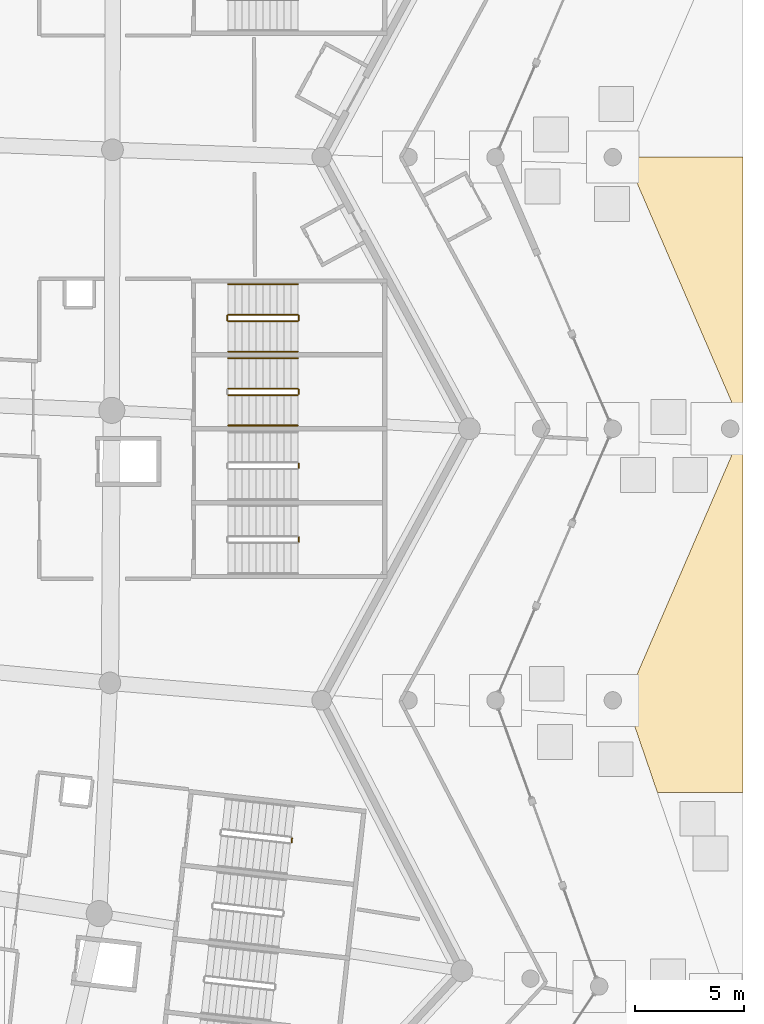
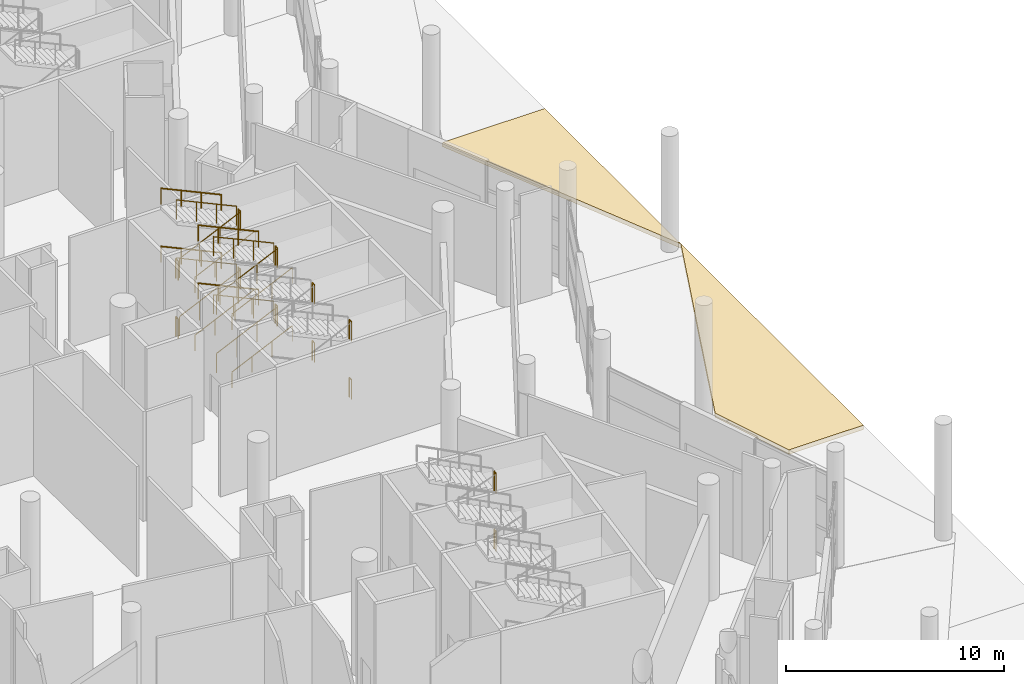
# One storey, part 219 of 255: 28 railings, 2 coverings.
"""IFC4 building model written with IfcOpenShell, lengths in metres."""

from ifc_helpers import new_model, si_unit, direction, frame, origin, origin_2d, place, context, subcontext, project, spatial, polyline, circle, outline, extrude, material, layer, layer_set, type_object, element, save


model = new_model("IFC4")

# Units and contexts
model_context = context("Model", 3, precision=1e-05, world=origin(), true_north=direction((0.0, 1.0)))
body_context = subcontext(model_context, "Body", "Model", "MODEL_VIEW")
ifc_project = project(units=[si_unit("LENGTHUNIT", "METRE"), si_unit("AREAUNIT", "SQUARE_METRE"), si_unit("VOLUMEUNIT", "CUBIC_METRE"), si_unit("PLANEANGLEUNIT", "RADIAN"), si_unit("MASSUNIT", "GRAM", prefix="KILO")], contexts=[model_context])

# Site, building, storey
site_placement = place(None, origin())
site = spatial("IfcSite", under=ifc_project, at=site_placement, CompositionType="ELEMENT")
building_placement = place(site_placement, origin())
building = spatial("IfcBuilding", under=site, at=building_placement, Name="Meseta Stadium", CompositionType="ELEMENT")
storey_placement = place(building_placement, origin())
storey = spatial("IfcBuildingStorey", under=building, at=storey_placement, Name="L00", CompositionType="ELEMENT", Elevation=0.0)

# Coverings
ifc_material_1 = material(Name="Guadarrama granite paving on bedding", Category="masonry")
ifc_layer = layer(ifc_material_1, 0.25)
ifc_layer_set = layer_set([ifc_layer], Name="Ground paving 250")
covering_type = type_object("IfcCoveringType", Name="Ground paving 250", PredefinedType="FLOORING", material=ifc_layer_set)
covering_1_placement = place(storey_placement, frame((0.0, 0.0, -0.25)))
element("IfcCovering", 1, at=covering_1_placement, inside=storey, type_object=covering_type, Name="Forecourt paving 27", PredefinedType="FLOORING", context=body_context, shape_type="SweptSolid", body=[
    extrude(outline(polyline([(114.0, -31.25), (108.60009765625, -43.75), (110.05419921875, -47.99951171875), (114.0, -47.9990234375), (114.0, -31.25)])), origin(), (0.0, 0.0, 1.0), 0.25),
])
covering_2_placement = place(storey_placement, frame((0.0, 0.0, -0.25)))
element("IfcCovering", 2, at=covering_2_placement, inside=storey, type_object=covering_type, Name="Forecourt paving 30", PredefinedType="FLOORING", context=body_context, shape_type="SweptSolid", body=[
    extrude(outline(polyline([(114.0, -31.25), (114.0, -18.75), (108.60009765625, -18.75), (114.0, -31.25)])), origin(), (0.0, 0.0, 1.0), 0.25),
])

# Railings
ifc_material_2 = material(Name="Steel S355", Category="steel")
railing_type_1 = type_object("IfcRailingType", Name="Stair guard 1100", PredefinedType="GUARDRAIL", material=ifc_material_2)
for number, where, name in (
    (3, (93.214599609375, -50.2880859375, 1.625), "ST4 L00 guard 2"),
    (4, (93.214599609375, -50.2880859375, 4.875), "ST4 L00 guard 6"),
):
    element("IfcRailing", number, at=place(storey_placement, frame(where)), inside=storey, type_object=railing_type_1, Name=name, PredefinedType="GUARDRAIL", context=body_context, shape_type="SweptSolid", body=[
        extrude(circle(Radius=0.02392578125, at=origin_2d()), frame((0.0, 0.0, 1.076171875), z_axis=(0.112307083986, 0.993673547442, 0.0), x_axis=(-0.993673547442, 0.112307083986, 0.0)), (0.0, 0.0, 1.0), 0.199951171875),
        extrude(circle(Radius=0.02099609375, at=origin_2d()), origin(), (0.0, 0.0, 1.0), 1.052001953125),
        extrude(circle(Radius=0.02099609375, at=origin_2d()), frame((0.0224609375, 0.19873046875, 0.0)), (0.0, 0.0, 1.0), 1.052001953125),
    ])
for number, where, name in (
    (5, (93.550048828125, -36.449951171875, 1.625), "ST5 L00 guard 2"),
    (6, (93.550048828125, -36.449951171875, 4.875), "ST5 L00 guard 6"),
    (7, (93.550048828125, -33.050048828125, 1.625), "ST6 L00 guard 2"),
    (8, (93.550048828125, -33.050048828125, 4.875), "ST6 L00 guard 6"),
):
    element("IfcRailing", number, at=place(storey_placement, frame(where)), inside=storey, type_object=railing_type_1, Name=name, PredefinedType="GUARDRAIL", context=body_context, shape_type="SweptSolid", body=[
        extrude(circle(Radius=0.02392578125, at=origin_2d()), frame((0.0, 0.0, 1.076171875), z_axis=(0.0, 1.0, 0.0), x_axis=(-1.0, 0.0, 0.0)), (0.0, 0.0, 1.0), 0.199951171875),
        extrude(circle(Radius=0.02099609375, at=origin_2d()), origin(), (0.0, 0.0, 1.0), 1.052001953125),
        extrude(circle(Radius=0.02099609375, at=origin_2d()), frame((0.0, 0.199951171875, 0.0)), (0.0, 0.0, 1.0), 1.052001953125),
    ])
railing_1_placement = place(storey_placement, frame((90.300048828125, -29.699951171875, 0.147705078125)))
element("IfcRailing", 9, at=railing_1_placement, inside=storey, type_object=railing_type_1, Name="ST7 L00 guard 1", PredefinedType="GUARDRAIL", context=body_context, shape_type="SweptSolid", body=[
    extrude(circle(Radius=0.02392578125, at=origin_2d()), frame((0.0, 0.0, 1.076171875), z_axis=(0.907916804346, 0.0, 0.419150422148), x_axis=(0.0, 1.0, 0.0)), (0.0, 0.0, 1.0), 3.5244140625),
    extrude(circle(Radius=0.02099609375, at=origin_2d()), origin(), (0.0, 0.0, 1.0), 1.052001953125),
    extrude(circle(Radius=0.02099609375, at=origin_2d()), frame((1.066650390625, 0.0, 0.492431640625)), (0.0, 0.0, 1.0), 1.052001953125),
    extrude(circle(Radius=0.02099609375, at=origin_2d()), frame((2.13330078125, 0.0, 0.98486328125)), (0.0, 0.0, 1.0), 1.052001953125),
    extrude(circle(Radius=0.02099609375, at=origin_2d()), frame((3.199951171875, 0.0, 1.477294921875)), (0.0, 0.0, 1.0), 1.052001953125),
])
railing_2_placement = place(storey_placement, frame((93.550048828125, -29.64990234375, 1.625)))
element("IfcRailing", 10, at=railing_2_placement, inside=storey, type_object=railing_type_1, Name="ST7 L00 guard 2", PredefinedType="GUARDRAIL", context=body_context, shape_type="SweptSolid", body=[
    extrude(circle(Radius=0.02392578125, at=origin_2d()), frame((0.0, 0.0, 1.076171875), z_axis=(0.0, 1.0, 0.0), x_axis=(-1.0, 0.0, 0.0)), (0.0, 0.0, 1.0), 0.199951171875),
    extrude(circle(Radius=0.02099609375, at=origin_2d()), origin(), (0.0, 0.0, 1.0), 1.052001953125),
    extrude(circle(Radius=0.02099609375, at=origin_2d()), frame((0.0, 0.199951171875, 0.0)), (0.0, 0.0, 1.0), 1.052001953125),
])
railing_3_placement = place(storey_placement, frame((93.5, -29.39990234375, 1.772705078125)))
element("IfcRailing", 11, at=railing_3_placement, inside=storey, type_object=railing_type_1, Name="ST7 L00 guard 3", PredefinedType="GUARDRAIL", context=body_context, shape_type="SweptSolid", body=[
    extrude(circle(Radius=0.02392578125, at=origin_2d()), frame((0.0, 0.0, 1.076171875), z_axis=(-0.907916804346, 0.0, 0.419150422148), x_axis=(0.0, -1.0, 0.0)), (0.0, 0.0, 1.0), 3.5244140625),
    extrude(circle(Radius=0.02099609375, at=origin_2d()), origin(), (0.0, 0.0, 1.0), 1.052001953125),
    extrude(circle(Radius=0.02099609375, at=origin_2d()), frame((-1.066650390625, 0.0, 0.492431640625)), (0.0, 0.0, 1.0), 1.052001953125),
    extrude(circle(Radius=0.02099609375, at=origin_2d()), frame((-2.13330078125, 0.0, 0.98486328125)), (0.0, 0.0, 1.0), 1.052001953125),
    extrude(circle(Radius=0.02099609375, at=origin_2d()), frame((-3.199951171875, 0.0, 1.477294921875)), (0.0, 0.0, 1.0), 1.052001953125),
])
railing_4_placement = place(storey_placement, frame((90.300048828125, -29.699951171875, 3.397705078125)))
element("IfcRailing", 12, at=railing_4_placement, inside=storey, type_object=railing_type_1, Name="ST7 L00 guard 5", PredefinedType="GUARDRAIL", context=body_context, shape_type="SweptSolid", body=[
    extrude(circle(Radius=0.02392578125, at=origin_2d()), frame((0.0, 0.0, 1.076171875), z_axis=(0.907916804346, 0.0, 0.419150422148), x_axis=(0.0, 1.0, 0.0)), (0.0, 0.0, 1.0), 3.5244140625),
    extrude(circle(Radius=0.02099609375, at=origin_2d()), origin(), (0.0, 0.0, 1.0), 1.052001953125),
    extrude(circle(Radius=0.02099609375, at=origin_2d()), frame((1.066650390625, 0.0, 0.492431640625)), (0.0, 0.0, 1.0), 1.052001953125),
    extrude(circle(Radius=0.02099609375, at=origin_2d()), frame((2.13330078125, 0.0, 0.98486328125)), (0.0, 0.0, 1.0), 1.052001953125),
    extrude(circle(Radius=0.02099609375, at=origin_2d()), frame((3.199951171875, 0.0, 1.477294921875)), (0.0, 0.0, 1.0), 1.052001953125),
])
railing_5_placement = place(storey_placement, frame((93.550048828125, -29.64990234375, 4.875)))
element("IfcRailing", 13, at=railing_5_placement, inside=storey, type_object=railing_type_1, Name="ST7 L00 guard 6", PredefinedType="GUARDRAIL", context=body_context, shape_type="SweptSolid", body=[
    extrude(circle(Radius=0.02392578125, at=origin_2d()), frame((0.0, 0.0, 1.076171875), z_axis=(0.0, 1.0, 0.0), x_axis=(-1.0, 0.0, 0.0)), (0.0, 0.0, 1.0), 0.199951171875),
    extrude(circle(Radius=0.02099609375, at=origin_2d()), origin(), (0.0, 0.0, 1.0), 1.052001953125),
    extrude(circle(Radius=0.02099609375, at=origin_2d()), frame((0.0, 0.199951171875, 0.0)), (0.0, 0.0, 1.0), 1.052001953125),
])
railing_6_placement = place(storey_placement, frame((93.5, -29.39990234375, 5.022705078125)))
element("IfcRailing", 14, at=railing_6_placement, inside=storey, type_object=railing_type_1, Name="ST7 L00 guard 7", PredefinedType="GUARDRAIL", context=body_context, shape_type="SweptSolid", body=[
    extrude(circle(Radius=0.02392578125, at=origin_2d()), frame((0.0, 0.0, 1.076171875), z_axis=(-0.907916804346, 0.0, 0.419150422148), x_axis=(0.0, -1.0, 0.0)), (0.0, 0.0, 1.0), 3.5244140625),
    extrude(circle(Radius=0.02099609375, at=origin_2d()), origin(), (0.0, 0.0, 1.0), 1.052001953125),
    extrude(circle(Radius=0.02099609375, at=origin_2d()), frame((-1.066650390625, 0.0, 0.492431640625)), (0.0, 0.0, 1.0), 1.052001953125),
    extrude(circle(Radius=0.02099609375, at=origin_2d()), frame((-2.13330078125, 0.0, 0.98486328125)), (0.0, 0.0, 1.0), 1.052001953125),
    extrude(circle(Radius=0.02099609375, at=origin_2d()), frame((-3.199951171875, 0.0, 1.477294921875)), (0.0, 0.0, 1.0), 1.052001953125),
])
railing_7_placement = place(storey_placement, frame((90.300048828125, -26.300048828125, 0.147705078125)))
element("IfcRailing", 15, at=railing_7_placement, inside=storey, type_object=railing_type_1, Name="ST8 L00 guard 1", PredefinedType="GUARDRAIL", context=body_context, shape_type="SweptSolid", body=[
    extrude(circle(Radius=0.02392578125, at=origin_2d()), frame((0.0, 0.0, 1.076171875), z_axis=(0.907916804346, 0.0, 0.419150422148), x_axis=(0.0, 1.0, 0.0)), (0.0, 0.0, 1.0), 3.5244140625),
    extrude(circle(Radius=0.02099609375, at=origin_2d()), origin(), (0.0, 0.0, 1.0), 1.052001953125),
    extrude(circle(Radius=0.02099609375, at=origin_2d()), frame((1.066650390625, 0.0, 0.492431640625)), (0.0, 0.0, 1.0), 1.052001953125),
    extrude(circle(Radius=0.02099609375, at=origin_2d()), frame((2.13330078125, 0.0, 0.98486328125)), (0.0, 0.0, 1.0), 1.052001953125),
    extrude(circle(Radius=0.02099609375, at=origin_2d()), frame((3.199951171875, 0.0, 1.477294921875)), (0.0, 0.0, 1.0), 1.052001953125),
])
railing_8_placement = place(storey_placement, frame((93.550048828125, -26.25, 1.625)))
element("IfcRailing", 16, at=railing_8_placement, inside=storey, type_object=railing_type_1, Name="ST8 L00 guard 2", PredefinedType="GUARDRAIL", context=body_context, shape_type="SweptSolid", body=[
    extrude(circle(Radius=0.02392578125, at=origin_2d()), frame((0.0, 0.0, 1.076171875), z_axis=(0.0, 1.0, 0.0), x_axis=(-1.0, 0.0, 0.0)), (0.0, 0.0, 1.0), 0.199951171875),
    extrude(circle(Radius=0.02099609375, at=origin_2d()), origin(), (0.0, 0.0, 1.0), 1.052001953125),
    extrude(circle(Radius=0.02099609375, at=origin_2d()), frame((0.0, 0.199951171875, 0.0)), (0.0, 0.0, 1.0), 1.052001953125),
])
railing_9_placement = place(storey_placement, frame((93.5, -26.0, 1.772705078125)))
element("IfcRailing", 17, at=railing_9_placement, inside=storey, type_object=railing_type_1, Name="ST8 L00 guard 3", PredefinedType="GUARDRAIL", context=body_context, shape_type="SweptSolid", body=[
    extrude(circle(Radius=0.02392578125, at=origin_2d()), frame((0.0, 0.0, 1.076171875), z_axis=(-0.907916804346, 0.0, 0.419150422148), x_axis=(0.0, -1.0, 0.0)), (0.0, 0.0, 1.0), 3.5244140625),
    extrude(circle(Radius=0.02099609375, at=origin_2d()), origin(), (0.0, 0.0, 1.0), 1.052001953125),
    extrude(circle(Radius=0.02099609375, at=origin_2d()), frame((-1.066650390625, 0.0, 0.492431640625)), (0.0, 0.0, 1.0), 1.052001953125),
    extrude(circle(Radius=0.02099609375, at=origin_2d()), frame((-2.13330078125, 0.0, 0.98486328125)), (0.0, 0.0, 1.0), 1.052001953125),
    extrude(circle(Radius=0.02099609375, at=origin_2d()), frame((-3.199951171875, 0.0, 1.477294921875)), (0.0, 0.0, 1.0), 1.052001953125),
])
railing_10_placement = place(storey_placement, frame((90.25, -26.25, 3.25)))
element("IfcRailing", 18, at=railing_10_placement, inside=storey, type_object=railing_type_1, Name="ST8 L00 guard 4", PredefinedType="GUARDRAIL", context=body_context, shape_type="SweptSolid", body=[
    extrude(circle(Radius=0.02392578125, at=origin_2d()), frame((0.0, 0.0, 1.076171875), z_axis=(0.0, 1.0, 0.0), x_axis=(-1.0, 0.0, 0.0)), (0.0, 0.0, 1.0), 0.199951171875),
    extrude(circle(Radius=0.02099609375, at=origin_2d()), origin(), (0.0, 0.0, 1.0), 1.052001953125),
    extrude(circle(Radius=0.02099609375, at=origin_2d()), frame((0.0, 0.199951171875, 0.0)), (0.0, 0.0, 1.0), 1.052001953125),
])
railing_11_placement = place(storey_placement, frame((90.300048828125, -26.300048828125, 3.397705078125)))
element("IfcRailing", 19, at=railing_11_placement, inside=storey, type_object=railing_type_1, Name="ST8 L00 guard 5", PredefinedType="GUARDRAIL", context=body_context, shape_type="SweptSolid", body=[
    extrude(circle(Radius=0.02392578125, at=origin_2d()), frame((0.0, 0.0, 1.076171875), z_axis=(0.907916804346, 0.0, 0.419150422148), x_axis=(0.0, 1.0, 0.0)), (0.0, 0.0, 1.0), 3.5244140625),
    extrude(circle(Radius=0.02099609375, at=origin_2d()), origin(), (0.0, 0.0, 1.0), 1.052001953125),
    extrude(circle(Radius=0.02099609375, at=origin_2d()), frame((1.066650390625, 0.0, 0.492431640625)), (0.0, 0.0, 1.0), 1.052001953125),
    extrude(circle(Radius=0.02099609375, at=origin_2d()), frame((2.13330078125, 0.0, 0.98486328125)), (0.0, 0.0, 1.0), 1.052001953125),
    extrude(circle(Radius=0.02099609375, at=origin_2d()), frame((3.199951171875, 0.0, 1.477294921875)), (0.0, 0.0, 1.0), 1.052001953125),
])
railing_12_placement = place(storey_placement, frame((93.550048828125, -26.25, 4.875)))
element("IfcRailing", 20, at=railing_12_placement, inside=storey, type_object=railing_type_1, Name="ST8 L00 guard 6", PredefinedType="GUARDRAIL", context=body_context, shape_type="SweptSolid", body=[
    extrude(circle(Radius=0.02392578125, at=origin_2d()), frame((0.0, 0.0, 1.076171875), z_axis=(0.0, 1.0, 0.0), x_axis=(-1.0, 0.0, 0.0)), (0.0, 0.0, 1.0), 0.199951171875),
    extrude(circle(Radius=0.02099609375, at=origin_2d()), origin(), (0.0, 0.0, 1.0), 1.052001953125),
    extrude(circle(Radius=0.02099609375, at=origin_2d()), frame((0.0, 0.199951171875, 0.0)), (0.0, 0.0, 1.0), 1.052001953125),
])
railing_13_placement = place(storey_placement, frame((93.5, -26.0, 5.022705078125)))
element("IfcRailing", 21, at=railing_13_placement, inside=storey, type_object=railing_type_1, Name="ST8 L00 guard 7", PredefinedType="GUARDRAIL", context=body_context, shape_type="SweptSolid", body=[
    extrude(circle(Radius=0.02392578125, at=origin_2d()), frame((0.0, 0.0, 1.076171875), z_axis=(-0.907916804346, 0.0, 0.419150422148), x_axis=(0.0, -1.0, 0.0)), (0.0, 0.0, 1.0), 3.5244140625),
    extrude(circle(Radius=0.02099609375, at=origin_2d()), origin(), (0.0, 0.0, 1.0), 1.052001953125),
    extrude(circle(Radius=0.02099609375, at=origin_2d()), frame((-1.066650390625, 0.0, 0.492431640625)), (0.0, 0.0, 1.0), 1.052001953125),
    extrude(circle(Radius=0.02099609375, at=origin_2d()), frame((-2.13330078125, 0.0, 0.98486328125)), (0.0, 0.0, 1.0), 1.052001953125),
    extrude(circle(Radius=0.02099609375, at=origin_2d()), frame((-3.199951171875, 0.0, 1.477294921875)), (0.0, 0.0, 1.0), 1.052001953125),
])
railing_14_placement = place(storey_placement, frame((90.25, -26.25, 0.0)))
element("IfcRailing", 22, at=railing_14_placement, inside=storey, type_object=railing_type_1, Name="ST8 L00 guard 8", PredefinedType="GUARDRAIL", context=body_context, shape_type="SweptSolid", body=[
    extrude(circle(Radius=0.02392578125, at=origin_2d()), frame((0.0, 0.0, 1.076171875), z_axis=(0.0, 1.0, 0.0), x_axis=(-1.0, 0.0, 0.0)), (0.0, 0.0, 1.0), 0.199951171875),
    extrude(circle(Radius=0.02099609375, at=origin_2d()), origin(), (0.0, 0.0, 1.0), 1.052001953125),
    extrude(circle(Radius=0.02099609375, at=origin_2d()), frame((0.0, 0.199951171875, 0.0)), (0.0, 0.0, 1.0), 1.052001953125),
])
ifc_material_3 = material(Name="Steel S355", Category="steel")
railing_type_2 = type_object("IfcRailingType", Name="Stair handrail 900", PredefinedType="HANDRAIL", material=ifc_material_3)
railing_15_placement = place(storey_placement, frame((90.300048828125, -31.10009765625, 0.147705078125)))
element("IfcRailing", 23, at=railing_15_placement, inside=storey, type_object=railing_type_2, Name="ST7 L00 handrail 1", PredefinedType="HANDRAIL", context=body_context, shape_type="SweptSolid", body=[
    extrude(circle(Radius=0.02392578125, at=origin_2d()), frame((0.0, 0.0, 0.8759765625), z_axis=(0.907916804346, 0.0, 0.419150422148), x_axis=(0.0, 1.0, 0.0)), (0.0, 0.0, 1.0), 3.5244140625),
    extrude(circle(Radius=0.02099609375, at=origin_2d()), origin(), (0.0, 0.0, 1.0), 0.851806640625),
    extrude(circle(Radius=0.02099609375, at=origin_2d()), frame((1.066650390625, 0.0, 0.492431640625)), (0.0, 0.0, 1.0), 0.851806640625),
    extrude(circle(Radius=0.02099609375, at=origin_2d()), frame((2.13330078125, 0.0, 0.98486328125)), (0.0, 0.0, 1.0), 0.851806640625),
    extrude(circle(Radius=0.02099609375, at=origin_2d()), frame((3.199951171875, 0.0, 1.477294921875)), (0.0, 0.0, 1.0), 0.851806640625),
])
railing_16_placement = place(storey_placement, frame((93.5, -28.0, 1.772705078125)))
element("IfcRailing", 24, at=railing_16_placement, inside=storey, type_object=railing_type_2, Name="ST7 L00 handrail 2", PredefinedType="HANDRAIL", context=body_context, shape_type="SweptSolid", body=[
    extrude(circle(Radius=0.02392578125, at=origin_2d()), frame((0.0, 0.0, 0.8759765625), z_axis=(-0.907916804346, 0.0, 0.419150422148), x_axis=(0.0, -1.0, 0.0)), (0.0, 0.0, 1.0), 3.5244140625),
    extrude(circle(Radius=0.02099609375, at=origin_2d()), origin(), (0.0, 0.0, 1.0), 0.851806640625),
    extrude(circle(Radius=0.02099609375, at=origin_2d()), frame((-1.066650390625, 0.0, 0.492431640625)), (0.0, 0.0, 1.0), 0.851806640625),
    extrude(circle(Radius=0.02099609375, at=origin_2d()), frame((-2.13330078125, 0.0, 0.98486328125)), (0.0, 0.0, 1.0), 0.851806640625),
    extrude(circle(Radius=0.02099609375, at=origin_2d()), frame((-3.199951171875, 0.0, 1.477294921875)), (0.0, 0.0, 1.0), 0.851806640625),
])
railing_17_placement = place(storey_placement, frame((90.300048828125, -31.10009765625, 3.397705078125)))
element("IfcRailing", 25, at=railing_17_placement, inside=storey, type_object=railing_type_2, Name="ST7 L00 handrail 3", PredefinedType="HANDRAIL", context=body_context, shape_type="SweptSolid", body=[
    extrude(circle(Radius=0.02392578125, at=origin_2d()), frame((0.0, 0.0, 0.8759765625), z_axis=(0.907916804346, 0.0, 0.419150422148), x_axis=(0.0, 1.0, 0.0)), (0.0, 0.0, 1.0), 3.5244140625),
    extrude(circle(Radius=0.02099609375, at=origin_2d()), origin(), (0.0, 0.0, 1.0), 0.851806640625),
    extrude(circle(Radius=0.02099609375, at=origin_2d()), frame((1.066650390625, 0.0, 0.492431640625)), (0.0, 0.0, 1.0), 0.851806640625),
    extrude(circle(Radius=0.02099609375, at=origin_2d()), frame((2.13330078125, 0.0, 0.98486328125)), (0.0, 0.0, 1.0), 0.851806640625),
    extrude(circle(Radius=0.02099609375, at=origin_2d()), frame((3.199951171875, 0.0, 1.477294921875)), (0.0, 0.0, 1.0), 0.851806640625),
])
railing_18_placement = place(storey_placement, frame((93.5, -28.0, 5.022705078125)))
element("IfcRailing", 26, at=railing_18_placement, inside=storey, type_object=railing_type_2, Name="ST7 L00 handrail 4", PredefinedType="HANDRAIL", context=body_context, shape_type="SweptSolid", body=[
    extrude(circle(Radius=0.02392578125, at=origin_2d()), frame((0.0, 0.0, 0.8759765625), z_axis=(-0.907916804346, 0.0, 0.419150422148), x_axis=(0.0, -1.0, 0.0)), (0.0, 0.0, 1.0), 3.5244140625),
    extrude(circle(Radius=0.02099609375, at=origin_2d()), origin(), (0.0, 0.0, 1.0), 0.851806640625),
    extrude(circle(Radius=0.02099609375, at=origin_2d()), frame((-1.066650390625, 0.0, 0.492431640625)), (0.0, 0.0, 1.0), 0.851806640625),
    extrude(circle(Radius=0.02099609375, at=origin_2d()), frame((-2.13330078125, 0.0, 0.98486328125)), (0.0, 0.0, 1.0), 0.851806640625),
    extrude(circle(Radius=0.02099609375, at=origin_2d()), frame((-3.199951171875, 0.0, 1.477294921875)), (0.0, 0.0, 1.0), 0.851806640625),
])
railing_19_placement = place(storey_placement, frame((90.300048828125, -27.699951171875, 0.147705078125)))
element("IfcRailing", 27, at=railing_19_placement, inside=storey, type_object=railing_type_2, Name="ST8 L00 handrail 1", PredefinedType="HANDRAIL", context=body_context, shape_type="SweptSolid", body=[
    extrude(circle(Radius=0.02392578125, at=origin_2d()), frame((0.0, 0.0, 0.8759765625), z_axis=(0.907916804346, 0.0, 0.419150422148), x_axis=(0.0, 1.0, 0.0)), (0.0, 0.0, 1.0), 3.5244140625),
    extrude(circle(Radius=0.02099609375, at=origin_2d()), origin(), (0.0, 0.0, 1.0), 0.851806640625),
    extrude(circle(Radius=0.02099609375, at=origin_2d()), frame((1.066650390625, 0.0, 0.492431640625)), (0.0, 0.0, 1.0), 0.851806640625),
    extrude(circle(Radius=0.02099609375, at=origin_2d()), frame((2.13330078125, 0.0, 0.98486328125)), (0.0, 0.0, 1.0), 0.851806640625),
    extrude(circle(Radius=0.02099609375, at=origin_2d()), frame((3.199951171875, 0.0, 1.477294921875)), (0.0, 0.0, 1.0), 0.851806640625),
])
railing_20_placement = place(storey_placement, frame((93.5, -24.60009765625, 1.772705078125)))
element("IfcRailing", 28, at=railing_20_placement, inside=storey, type_object=railing_type_2, Name="ST8 L00 handrail 2", PredefinedType="HANDRAIL", context=body_context, shape_type="SweptSolid", body=[
    extrude(circle(Radius=0.02392578125, at=origin_2d()), frame((0.0, 0.0, 0.8759765625), z_axis=(-0.907916804346, 0.0, 0.419150422148), x_axis=(0.0, -1.0, 0.0)), (0.0, 0.0, 1.0), 3.5244140625),
    extrude(circle(Radius=0.02099609375, at=origin_2d()), origin(), (0.0, 0.0, 1.0), 0.851806640625),
    extrude(circle(Radius=0.02099609375, at=origin_2d()), frame((-1.066650390625, 0.0, 0.492431640625)), (0.0, 0.0, 1.0), 0.851806640625),
    extrude(circle(Radius=0.02099609375, at=origin_2d()), frame((-2.13330078125, 0.0, 0.98486328125)), (0.0, 0.0, 1.0), 0.851806640625),
    extrude(circle(Radius=0.02099609375, at=origin_2d()), frame((-3.199951171875, 0.0, 1.477294921875)), (0.0, 0.0, 1.0), 0.851806640625),
])
railing_21_placement = place(storey_placement, frame((90.300048828125, -27.699951171875, 3.397705078125)))
element("IfcRailing", 29, at=railing_21_placement, inside=storey, type_object=railing_type_2, Name="ST8 L00 handrail 3", PredefinedType="HANDRAIL", context=body_context, shape_type="SweptSolid", body=[
    extrude(circle(Radius=0.02392578125, at=origin_2d()), frame((0.0, 0.0, 0.8759765625), z_axis=(0.907916804346, 0.0, 0.419150422148), x_axis=(0.0, 1.0, 0.0)), (0.0, 0.0, 1.0), 3.5244140625),
    extrude(circle(Radius=0.02099609375, at=origin_2d()), origin(), (0.0, 0.0, 1.0), 0.851806640625),
    extrude(circle(Radius=0.02099609375, at=origin_2d()), frame((1.066650390625, 0.0, 0.492431640625)), (0.0, 0.0, 1.0), 0.851806640625),
    extrude(circle(Radius=0.02099609375, at=origin_2d()), frame((2.13330078125, 0.0, 0.98486328125)), (0.0, 0.0, 1.0), 0.851806640625),
    extrude(circle(Radius=0.02099609375, at=origin_2d()), frame((3.199951171875, 0.0, 1.477294921875)), (0.0, 0.0, 1.0), 0.851806640625),
])
railing_22_placement = place(storey_placement, frame((93.5, -24.60009765625, 5.022705078125)))
element("IfcRailing", 30, at=railing_22_placement, inside=storey, type_object=railing_type_2, Name="ST8 L00 handrail 4", PredefinedType="HANDRAIL", context=body_context, shape_type="SweptSolid", body=[
    extrude(circle(Radius=0.02392578125, at=origin_2d()), frame((0.0, 0.0, 0.8759765625), z_axis=(-0.907916804346, 0.0, 0.419150422148), x_axis=(0.0, -1.0, 0.0)), (0.0, 0.0, 1.0), 3.5244140625),
    extrude(circle(Radius=0.02099609375, at=origin_2d()), origin(), (0.0, 0.0, 1.0), 0.851806640625),
    extrude(circle(Radius=0.02099609375, at=origin_2d()), frame((-1.066650390625, 0.0, 0.492431640625)), (0.0, 0.0, 1.0), 0.851806640625),
    extrude(circle(Radius=0.02099609375, at=origin_2d()), frame((-2.13330078125, 0.0, 0.98486328125)), (0.0, 0.0, 1.0), 0.851806640625),
    extrude(circle(Radius=0.02099609375, at=origin_2d()), frame((-3.199951171875, 0.0, 1.477294921875)), (0.0, 0.0, 1.0), 0.851806640625),
])

save(model, "model.ifc")
